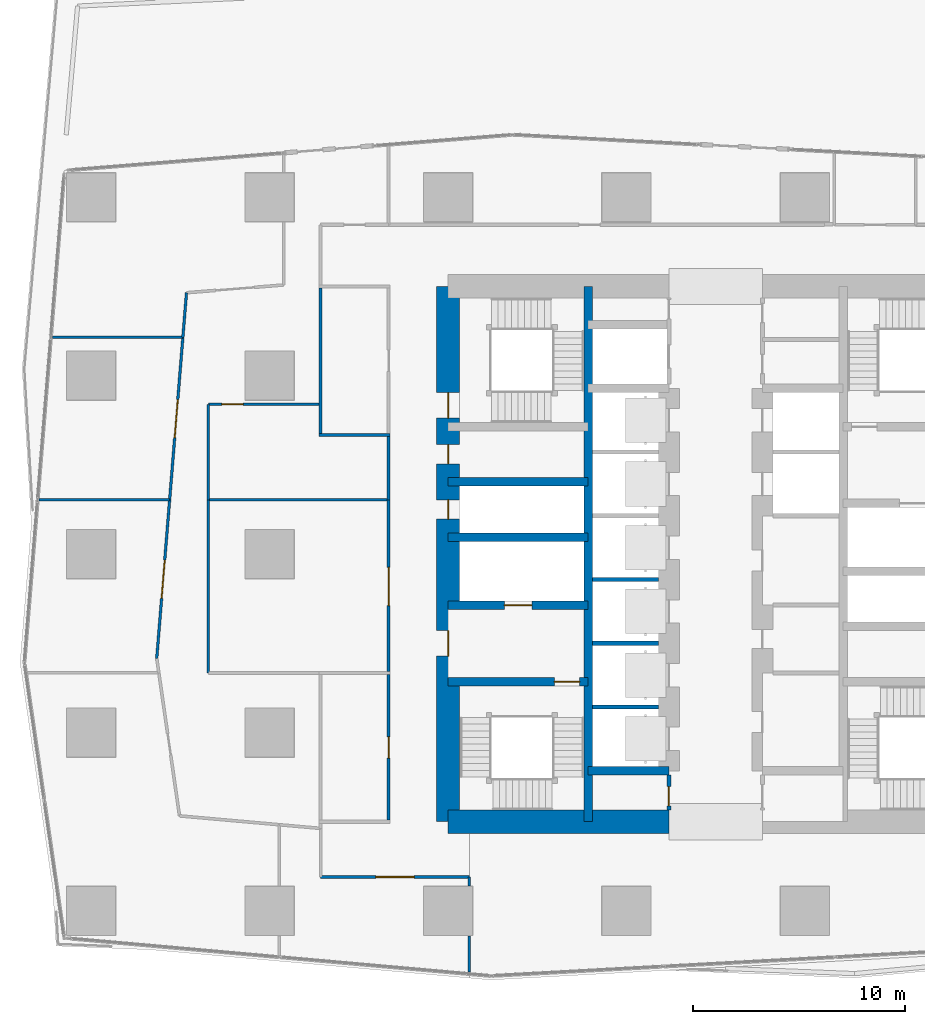
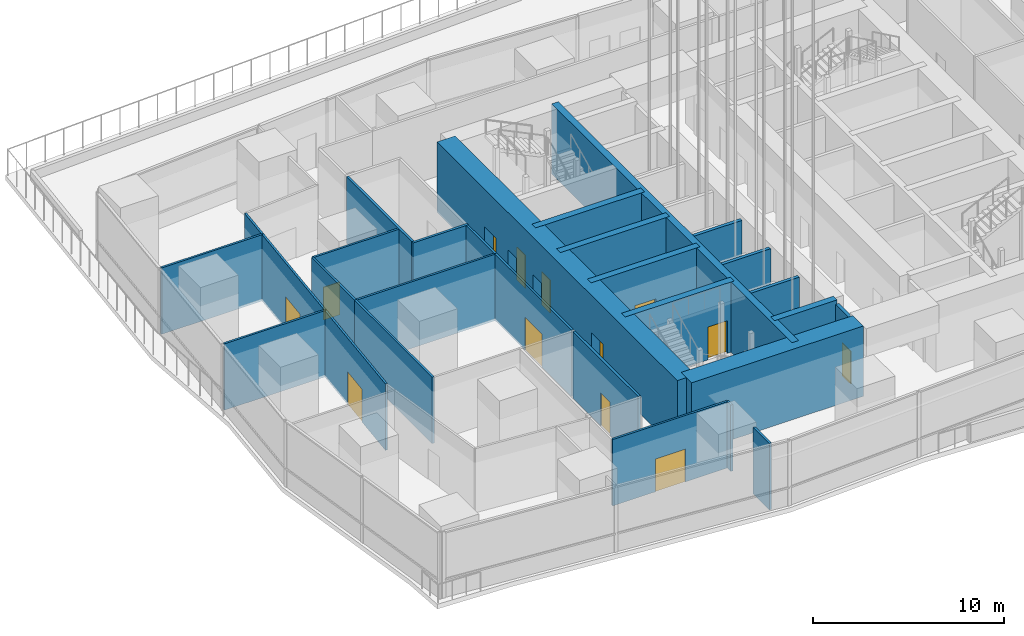
# One storey, part 15 of 39: 29 walls, 13 doors, 13 openings.
"""IFC4 building model written with IfcOpenShell, lengths in metres."""

from ifc_helpers import new_model, si_unit, direction, frame, frame_2d, origin, place, context, subcontext, project, spatial, rectangle, extrude, material, layer, layer_set, type_object, element, fill, save


model = new_model("IFC4")

# Units and contexts
model_context = context("Model", 3, precision=1e-05, world=origin(), true_north=direction((0.0, 1.0)))
body_context = subcontext(model_context, "Body", "Model", "MODEL_VIEW")
ifc_project = project(units=[si_unit("LENGTHUNIT", "METRE"), si_unit("AREAUNIT", "SQUARE_METRE"), si_unit("VOLUMEUNIT", "CUBIC_METRE"), si_unit("PLANEANGLEUNIT", "RADIAN"), si_unit("MASSUNIT", "GRAM", prefix="KILO")], contexts=[model_context])

# Site, building, storey
site_placement = place(None, origin())
site = spatial("IfcSite", under=ifc_project, at=site_placement, CompositionType="ELEMENT")
building_placement = place(site_placement, origin())
building = spatial("IfcBuilding", under=site, at=building_placement, Name="Rekha Terrace Tower", CompositionType="ELEMENT")
storey_placement = place(building_placement, frame((0.0, 0.0, 245.60009765625)))
storey = spatial("IfcBuildingStorey", under=building, at=storey_placement, Name="L62", CompositionType="ELEMENT", Elevation=245.60009765625)

# Walls
ifc_material_1 = material(Name="Concrete M60", Category="concrete")
ifc_layer_1 = layer(ifc_material_1, 0.39990234375)
ifc_layer_set_1 = layer_set([ifc_layer_1], Name="Concrete M60")
wall_type_1 = type_object("IfcWallType", Name="CI4 400 core internal shear wall", PredefinedType="SHEAR", material=ifc_layer_set_1)
wall_1_placement = place(storey_placement, frame((31.800048828125, 21.0, 0.0), z_axis=(0.0, 0.0, 1.0), x_axis=(0.0, 1.0, 0.0)))
element("IfcWall", 1, at=wall_1_placement, inside=storey, type_object=wall_type_1, Name="Core wall X318 L62", PredefinedType="SHEAR", context=body_context, shape_type="SweptSolid", body=[
    extrude(rectangle(XDim=25.199951171875, YDim=0.39990234375, at=frame_2d((12.60009765625, 0.0))), origin(), (0.0, 0.0, 1.0), 4.5),
])
wall_2_placement = place(storey_placement, frame((31.800048828125, 23.39990234375, 0.0), z_axis=(0.0, 0.0, 1.0), x_axis=(1.0, 0.0, 0.0)))
element("IfcWall", 2, at=wall_2_placement, inside=storey, type_object=wall_type_1, Name="Core wall Y234W L62", PredefinedType="SHEAR", context=body_context, shape_type="SweptSolid", body=[
    extrude(rectangle(XDim=3.800048828125, YDim=0.39990234375, at=frame_2d((1.89990234375, 0.0))), origin(), (0.0, 0.0, 1.0), 4.5),
])

# Wall, opening, door
wall_3_placement = place(storey_placement, frame((25.199951171875, 27.60009765625, 0.0), z_axis=(0.0, 0.0, 1.0), x_axis=(1.0, 0.0, 0.0)))
wall_3 = element("IfcWall", 3, at=wall_3_placement, inside=storey, type_object=wall_type_1, Name="Core wall Y276W L62", PredefinedType="SHEAR", context=body_context, shape_type="SweptSolid", body=[
    extrude(rectangle(XDim=6.60009765625, YDim=0.39990234375, at=frame_2d((3.300048828125, 0.0))), origin(), (0.0, 0.0, 1.0), 4.5),
])
opening_1_placement = place(wall_3_placement, frame((5.0, 0.0, 0.0)))
opening_1 = element("IfcOpeningElement", 4, at=opening_1_placement, cuts=wall_3, Name="Opening D1", PredefinedType="OPENING", context=body_context, shape_type="SweptSolid", body=[
    extrude(rectangle(XDim=1.199951171875, YDim=2.10009765625, at=frame_2d((0.60009765625, 1.050048828125))), frame((0.0, 0.2099609375, 0.0), z_axis=(0.0, -1.0, 0.0), x_axis=(1.0, 0.0, 0.0)), (0.0, 0.0, 1.0), 0.419921875),
])
ifc_material_2 = material(Name="Steel fire door", Category="steel")
door_type_1 = type_object("IfcDoorType", Name="D1 1200x2100 stair fire door", OperationType="SINGLE_SWING_RIGHT", PredefinedType="DOOR", material=ifc_material_2)
door_1_placement = place(opening_1_placement, origin())
door_1 = element("IfcDoor", 5, at=door_1_placement, inside=storey, type_object=door_type_1, Name="Stair ST1 door L62", OperationType="SINGLE_SWING_RIGHT", OverallHeight=2.10009765625, OverallWidth=1.199951171875, PredefinedType="DOOR", context=body_context, shape_type="SweptSolid", body=[
    extrude(rectangle(XDim=1.199951171875, YDim=2.10009765625, at=frame_2d((0.60009765625, 1.050048828125))), frame((0.0, 0.02490234375, 0.0), z_axis=(0.0, -1.0, 0.0), x_axis=(1.0, 0.0, 0.0)), (0.0, 0.0, 1.0), 0.050048828125),
])
fill(opening_1, door_1)

wall_4_placement = place(storey_placement, frame((25.199951171875, 31.199951171875, 0.0), z_axis=(0.0, 0.0, 1.0), x_axis=(1.0, 0.0, 0.0)))
wall_4 = element("IfcWall", 6, at=wall_4_placement, inside=storey, type_object=wall_type_1, Name="Core wall Y312W L62", PredefinedType="SHEAR", context=body_context, shape_type="SweptSolid", body=[
    extrude(rectangle(XDim=6.60009765625, YDim=0.39990234375, at=frame_2d((3.300048828125, 0.0))), origin(), (0.0, 0.0, 1.0), 4.5),
])
opening_2_placement = place(wall_4_placement, frame((2.64990234375, 0.0, 0.0)))
opening_2 = element("IfcOpeningElement", 7, at=opening_2_placement, cuts=wall_4, Name="Opening LD2", PredefinedType="OPENING", context=body_context, shape_type="SweptSolid", body=[
    extrude(rectangle(XDim=1.300048828125, YDim=2.10009765625, at=frame_2d((0.64990234375, 1.050048828125))), frame((0.0, 0.2099609375, 0.0), z_axis=(0.0, -1.0, 0.0), x_axis=(1.0, 0.0, 0.0)), (0.0, 0.0, 1.0), 0.419921875),
])
ifc_material_3 = material(Name="Stainless steel sliding landing door", Category="steel")
door_type_2 = type_object("IfcDoorType", Name="LD2 1300x2100 fire lift landing door", OperationType="SLIDING_TO_LEFT", PredefinedType="USERDEFINED", material=ifc_material_3)
door_2_placement = place(opening_2_placement, origin())
door_2 = element("IfcDoor", 8, at=door_2_placement, inside=storey, type_object=door_type_2, Name="Lift FL1 landing door L62", ObjectType="LIFT LANDING DOOR", OperationType="SLIDING_TO_LEFT", OverallHeight=2.10009765625, OverallWidth=1.300048828125, PredefinedType="USERDEFINED", context=body_context, shape_type="SweptSolid", body=[
    extrude(rectangle(XDim=1.300048828125, YDim=2.10009765625, at=frame_2d((0.64990234375, 1.050048828125))), frame((0.0, 0.02490234375, 0.0), z_axis=(0.0, -1.0, 0.0), x_axis=(1.0, 0.0, 0.0)), (0.0, 0.0, 1.0), 0.050048828125),
])
fill(opening_2, door_2)

# Walls
for number, where, z_axis, x_axis, name in (
    (9, (25.199951171875, 34.39990234375, 0.0), (0.0, 0.0, 1.0), (1.0, 0.0, 0.0), "Core wall Y344W L62"),
    (10, (25.199951171875, 37.0, 0.0), (0.0, 0.0, 1.0), (1.0, 0.0, 0.0), "Core wall Y370W L62"),
):
    element("IfcWall", number, at=place(storey_placement, frame(where, z_axis=z_axis, x_axis=x_axis)), inside=storey, type_object=wall_type_1, Name=name, PredefinedType="SHEAR", context=body_context, shape_type="SweptSolid", body=[
        extrude(rectangle(XDim=6.60009765625, YDim=0.39990234375, at=frame_2d((3.300048828125, 0.0))), origin(), (0.0, 0.0, 1.0), 4.5),
    ])
ifc_layer_2 = layer(ifc_material_1, 1.10009765625)
ifc_layer_set_2 = layer_set([ifc_layer_2], Name="Concrete M60")
wall_type_2 = type_object("IfcWallType", Name="SW4 1100 core outer shear wall", PredefinedType="SHEAR", material=ifc_layer_set_2)
wall_5_placement = place(storey_placement, frame((25.199951171875, 21.0, 0.0), z_axis=(0.0, 0.0, 1.0), x_axis=(1.0, 0.0, 0.0)))
element("IfcWall", 11, at=wall_5_placement, inside=storey, type_object=wall_type_2, Name="Core wall S1 L62", PredefinedType="SHEAR", context=body_context, shape_type="SweptSolid", body=[
    extrude(rectangle(XDim=10.400146484375, YDim=1.10009765625, at=frame_2d((5.2001953125, 0.0))), origin(), (0.0, 0.0, 1.0), 4.5),
])

# Wall, openings, doors
wall_6_placement = place(storey_placement, frame((25.199951171875, 21.0, 0.0), z_axis=(0.0, 0.0, 1.0), x_axis=(0.0, 1.0, 0.0)))
wall_6 = element("IfcWall", 12, at=wall_6_placement, inside=storey, type_object=wall_type_2, Name="Core wall W L62", PredefinedType="SHEAR", context=body_context, shape_type="SweptSolid", body=[
    extrude(rectangle(XDim=25.199951171875, YDim=1.10009765625, at=frame_2d((12.60009765625, 0.0))), origin(), (0.0, 0.0, 1.0), 4.5),
])
opening_3_placement = place(wall_6_placement, frame((7.800048828125, 0.0, 0.0)))
opening_3 = element("IfcOpeningElement", 13, at=opening_3_placement, cuts=wall_6, Name="Opening D2", PredefinedType="OPENING", context=body_context, shape_type="SweptSolid", body=[
    extrude(rectangle(XDim=1.199951171875, YDim=2.10009765625, at=frame_2d((0.60009765625, 1.050048828125))), frame((0.0, 0.56005859375, 0.0), z_axis=(0.0, -1.0, 0.0), x_axis=(1.0, 0.0, 0.0)), (0.0, 0.0, 1.0), 1.1201171875),
])
opening_4_placement = place(wall_6_placement, frame((14.25, 0.0, 0.0)))
opening_4 = element("IfcOpeningElement", 14, at=opening_4_placement, cuts=wall_6, Name="Opening D5", PredefinedType="OPENING", context=body_context, shape_type="SweptSolid", body=[
    extrude(rectangle(XDim=0.89990234375, YDim=2.10009765625, at=frame_2d((0.449951171875, 1.050048828125))), frame((0.0, 0.56005859375, 0.0), z_axis=(0.0, -1.0, 0.0), x_axis=(1.0, 0.0, 0.0)), (0.0, 0.0, 1.0), 1.1201171875),
])
opening_5_placement = place(wall_6_placement, frame((16.85009765625, 0.0, 0.0)))
opening_5 = element("IfcOpeningElement", 15, at=opening_5_placement, cuts=wall_6, Name="Opening D5", PredefinedType="OPENING", context=body_context, shape_type="SweptSolid", body=[
    extrude(rectangle(XDim=0.89990234375, YDim=2.10009765625, at=frame_2d((0.449951171875, 1.050048828125))), frame((0.0, 0.56005859375, 0.0), z_axis=(0.0, -1.0, 0.0), x_axis=(1.0, 0.0, 0.0)), (0.0, 0.0, 1.0), 1.1201171875),
])
opening_6_placement = place(wall_6_placement, frame((19.0, 0.0, 0.0)))
opening_6 = element("IfcOpeningElement", 16, at=opening_6_placement, cuts=wall_6, Name="Opening D1", PredefinedType="OPENING", context=body_context, shape_type="SweptSolid", body=[
    extrude(rectangle(XDim=1.199951171875, YDim=2.10009765625, at=frame_2d((0.60009765625, 1.050048828125))), frame((0.0, 0.56005859375, 0.0), z_axis=(0.0, -1.0, 0.0), x_axis=(1.0, 0.0, 0.0)), (0.0, 0.0, 1.0), 1.1201171875),
])
door_3_placement = place(opening_6_placement, origin())
door_3 = element("IfcDoor", 17, at=door_3_placement, inside=storey, type_object=door_type_1, Name="Stair ST4 door L62", OperationType="SINGLE_SWING_RIGHT", OverallHeight=2.10009765625, OverallWidth=1.199951171875, PredefinedType="DOOR", context=body_context, shape_type="SweptSolid", body=[
    extrude(rectangle(XDim=1.199951171875, YDim=2.10009765625, at=frame_2d((0.60009765625, 1.050048828125))), frame((0.0, 0.02490234375, 0.0), z_axis=(0.0, -1.0, 0.0), x_axis=(1.0, 0.0, 0.0)), (0.0, 0.0, 1.0), 0.050048828125),
])
fill(opening_6, door_3)
door_type_3 = type_object("IfcDoorType", Name="D2 1200x2100 firefighting lobby door", OperationType="SINGLE_SWING_LEFT", PredefinedType="DOOR", material=ifc_material_2)
door_4_placement = place(opening_3_placement, origin())
door_4 = element("IfcDoor", 18, at=door_4_placement, inside=storey, type_object=door_type_3, Name="Door flb1 L62", OperationType="SINGLE_SWING_LEFT", OverallHeight=2.10009765625, OverallWidth=1.199951171875, PredefinedType="DOOR", context=body_context, shape_type="SweptSolid", body=[
    extrude(rectangle(XDim=1.199951171875, YDim=2.10009765625, at=frame_2d((0.60009765625, 1.050048828125))), frame((0.0, 0.02490234375, 0.0), z_axis=(0.0, -1.0, 0.0), x_axis=(1.0, 0.0, 0.0)), (0.0, 0.0, 1.0), 0.050048828125),
])
fill(opening_3, door_4)
door_type_4 = type_object("IfcDoorType", Name="D5 900x2100 riser access door", OperationType="SINGLE_SWING_LEFT", PredefinedType="DOOR", material=ifc_material_2)
door_5_placement = place(opening_4_placement, origin())
door_5 = element("IfcDoor", 19, at=door_5_placement, inside=storey, type_object=door_type_4, Name="Door rs1 L62", OperationType="SINGLE_SWING_LEFT", OverallHeight=2.10009765625, OverallWidth=0.89990234375, PredefinedType="DOOR", context=body_context, shape_type="SweptSolid", body=[
    extrude(rectangle(XDim=0.89990234375, YDim=2.10009765625, at=frame_2d((0.449951171875, 1.050048828125))), frame((0.0, 0.02490234375, 0.0), z_axis=(0.0, -1.0, 0.0), x_axis=(1.0, 0.0, 0.0)), (0.0, 0.0, 1.0), 0.050048828125),
])
fill(opening_4, door_5)
door_6_placement = place(opening_5_placement, origin())
door_6 = element("IfcDoor", 20, at=door_6_placement, inside=storey, type_object=door_type_4, Name="Door elw L62", OperationType="SINGLE_SWING_LEFT", OverallHeight=2.10009765625, OverallWidth=0.89990234375, PredefinedType="DOOR", context=body_context, shape_type="SweptSolid", body=[
    extrude(rectangle(XDim=0.89990234375, YDim=2.10009765625, at=frame_2d((0.449951171875, 1.050048828125))), frame((0.0, 0.02490234375, 0.0), z_axis=(0.0, -1.0, 0.0), x_axis=(1.0, 0.0, 0.0)), (0.0, 0.0, 1.0), 0.050048828125),
])
fill(opening_5, door_6)

# Walls
ifc_material_4 = material(Name="Concrete block masonry, 1 hour", Category="masonry")
ifc_layer_3 = layer(ifc_material_4, 0.14990234375)
ifc_layer_set_3 = layer_set([ifc_layer_3], Name="Concrete block masonry, 1 hour")
wall_type_3 = type_object("IfcWallType", Name="WP2 150 tenancy partition", PredefinedType="PARTITIONING", material=ifc_layer_set_3)
wall_7_placement = place(storey_placement, frame((19.125, 39.199951171875, 0.0), z_axis=(0.0, 0.0, 1.0), x_axis=(1.0, 0.0, 0.0)))
element("IfcWall", 21, at=wall_7_placement, inside=storey, type_object=wall_type_3, Name="Women's WC wall L62", PredefinedType="PARTITIONING", context=body_context, shape_type="SweptSolid", body=[
    extrude(rectangle(XDim=3.35009765625, YDim=0.14990234375, at=frame_2d((1.675048828125, 0.0))), origin(), (0.0, 0.0, 1.0), 4.25),
])
wall_8_placement = place(storey_placement, frame((19.199951171875, 39.27490234375, 0.0), z_axis=(0.0, 0.0, 1.0), x_axis=(0.0, 1.0, 0.0)))
element("IfcWall", 22, at=wall_8_placement, inside=storey, type_object=wall_type_3, Name="Women's WC wall L62", PredefinedType="PARTITIONING", context=body_context, shape_type="SweptSolid", body=[
    extrude(rectangle(XDim=6.85009765625, YDim=0.14990234375, at=frame_2d((3.425048828125, 0.0))), origin(), (0.0, 0.0, 1.0), 4.25),
])

# Wall, opening, door
wall_9_placement = place(storey_placement, frame((22.39990234375, 21.074951171875, 0.0), z_axis=(0.0, 0.0, 1.0), x_axis=(0.0, 1.0, 0.0)))
wall_9 = element("IfcWall", 23, at=wall_9_placement, inside=storey, type_object=wall_type_3, Name="Men's WC wall L62", PredefinedType="PARTITIONING", context=body_context, shape_type="SweptSolid", body=[
    extrude(rectangle(XDim=6.85009765625, YDim=0.14990234375, at=frame_2d((3.425048828125, 0.0))), origin(), (0.0, 0.0, 1.0), 4.25),
])
opening_7_placement = place(wall_9_placement, frame((2.925048828125, 0.0, 0.0)))
opening_7 = element("IfcOpeningElement", 24, at=opening_7_placement, cuts=wall_9, Name="Opening D3", PredefinedType="OPENING", context=body_context, shape_type="SweptSolid", body=[
    extrude(rectangle(XDim=1.0, YDim=2.10009765625, at=frame_2d((0.5, 1.050048828125))), frame((0.0, 0.0849609375, 0.0), z_axis=(0.0, -1.0, 0.0), x_axis=(1.0, 0.0, 0.0)), (0.0, 0.0, 1.0), 0.169921875),
])
ifc_material_5 = material(Name="Laminated timber fire door", Category="wood")
door_type_5 = type_object("IfcDoorType", Name="D3 1000x2100 WC door", OperationType="SINGLE_SWING_LEFT", PredefinedType="DOOR", material=ifc_material_5)
door_7_placement = place(opening_7_placement, origin())
door_7 = element("IfcDoor", 25, at=door_7_placement, inside=storey, type_object=door_type_5, Name="Door men's wc L62", OperationType="SINGLE_SWING_LEFT", OverallHeight=2.10009765625, OverallWidth=1.0, PredefinedType="DOOR", context=body_context, shape_type="SweptSolid", body=[
    extrude(rectangle(XDim=1.0, YDim=2.10009765625, at=frame_2d((0.5, 1.050048828125))), frame((0.0, 0.02490234375, 0.0), z_axis=(0.0, -1.0, 0.0), x_axis=(1.0, 0.0, 0.0)), (0.0, 0.0, 1.0), 0.050048828125),
])
fill(opening_7, door_7)

# Walls
ifc_material_6 = material(Name="Two layers of fire-rated gypsum board each side on steel studs, acoustic quilt, 1 hour", Category="steel")
ifc_layer_4 = layer(ifc_material_6, 0.125)
ifc_layer_set_4 = layer_set([ifc_layer_4], Name="Two layers of fire-rated gypsum board each side on steel studs, acoustic quilt, 1 hour")
wall_type_4 = type_object("IfcWallType", Name="WP3 125 office partition", PredefinedType="PARTITIONING", material=ifc_layer_set_4)
wall_10_placement = place(storey_placement, frame((12.717041015625, 43.804931640625, 0.0), z_axis=(0.0, 0.0, 1.0), x_axis=(-1.0, 0.0, 0.0)))
element("IfcWall", 26, at=wall_10_placement, inside=storey, type_object=wall_type_4, Name="Partition L62-10", PredefinedType="PARTITIONING", context=body_context, shape_type="SweptSolid", body=[
    extrude(rectangle(XDim=6.14013671875, YDim=0.125, at=frame_2d((3.070068359375, 0.0))), origin(), (0.0, 0.0, 1.0), 4.25),
])
wall_11_placement = place(storey_placement, frame((12.887939453125, 45.903076171875, 0.0), z_axis=(0.0, 0.0, 1.0), x_axis=(-0.081183317519, -0.996699186794, 0.0)))
element("IfcWall", 27, at=wall_11_placement, inside=storey, type_object=wall_type_4, Name="Partition L62-10", PredefinedType="PARTITIONING", context=body_context, shape_type="SweptSolid", body=[
    extrude(rectangle(XDim=2.10498046875, YDim=0.125, at=frame_2d((1.052490234375, 0.0))), origin(), (0.0, 0.0, 1.0), 4.25),
])

# Wall, opening, door
wall_12_placement = place(storey_placement, frame((12.717041015625, 43.803955078125, 0.0), z_axis=(0.0, 0.0, 1.0), x_axis=(-0.081142844152, -0.996702482611, 0.0)))
wall_12 = element("IfcWall", 28, at=wall_12_placement, inside=storey, type_object=wall_type_4, Name="Partition L62-11", PredefinedType="PARTITIONING", context=body_context, shape_type="SweptSolid", body=[
    extrude(rectangle(XDim=7.678466796875, YDim=0.125, at=frame_2d((3.83935546875, 0.0))), origin(), (0.0, 0.0, 1.0), 4.25),
])
opening_8_placement = place(wall_12_placement, frame((2.93896484375, 0.0, 0.0)))
opening_8 = element("IfcOpeningElement", 29, at=opening_8_placement, cuts=wall_12, Name="Opening D8", PredefinedType="OPENING", context=body_context, shape_type="SweptSolid", body=[
    extrude(rectangle(XDim=1.800048828125, YDim=2.10009765625, at=frame_2d((0.89990234375, 1.050048828125))), frame((0.0, 0.072509765625, 0.0), z_axis=(0.0, -1.0, 0.0), x_axis=(1.0, 0.0, 0.0)), (0.0, 0.0, 1.0), 0.14501953125),
])
ifc_material_7 = material(Name="Timber fire door", Category="wood")
door_type_6 = type_object("IfcDoorType", Name="D8 1800x2100 double leaf door", OperationType="DOUBLE_DOOR_SINGLE_SWING", PredefinedType="DOOR", material=ifc_material_7)
door_8_placement = place(opening_8_placement, origin())
door_8 = element("IfcDoor", 30, at=door_8_placement, inside=storey, type_object=door_type_6, Name="Door meeting room L62", OperationType="DOUBLE_DOOR_SINGLE_SWING", OverallHeight=2.10009765625, OverallWidth=1.800048828125, PredefinedType="DOOR", context=body_context, shape_type="SweptSolid", body=[
    extrude(rectangle(XDim=1.800048828125, YDim=2.10009765625, at=frame_2d((0.89990234375, 1.050048828125))), frame((0.0, 0.02490234375, 0.0), z_axis=(0.0, -1.0, 0.0), x_axis=(1.0, 0.0, 0.0)), (0.0, 0.0, 1.0), 0.050048828125),
])
fill(opening_8, door_8)

# Wall
wall_13_placement = place(storey_placement, frame((12.093994140625, 36.15087890625, 0.0), z_axis=(0.0, 0.0, 1.0), x_axis=(-1.0, 0.0, 0.0)))
element("IfcWall", 31, at=wall_13_placement, inside=storey, type_object=wall_type_4, Name="Partition L62-11", PredefinedType="PARTITIONING", context=body_context, shape_type="SweptSolid", body=[
    extrude(rectangle(XDim=6.139892578125, YDim=0.125, at=frame_2d((3.06982421875, 0.0))), origin(), (0.0, 0.0, 1.0), 4.25),
])

# Wall, opening, door
wall_14_placement = place(storey_placement, frame((12.093994140625, 36.14990234375, 0.0), z_axis=(0.0, 0.0, 1.0), x_axis=(-0.081101425513, -0.99670585369, 0.0)))
wall_14 = element("IfcWall", 32, at=wall_14_placement, inside=storey, type_object=wall_type_4, Name="Partition L62-12", PredefinedType="PARTITIONING", context=body_context, shape_type="SweptSolid", body=[
    extrude(rectangle(XDim=7.483642578125, YDim=0.125, at=frame_2d((3.74169921875, 0.0))), origin(), (0.0, 0.0, 1.0), 4.25),
])
opening_9_placement = place(wall_14_placement, frame((2.842041015625, 0.0, 0.0)))
opening_9 = element("IfcOpeningElement", 33, at=opening_9_placement, cuts=wall_14, Name="Opening D8", PredefinedType="OPENING", context=body_context, shape_type="SweptSolid", body=[
    extrude(rectangle(XDim=1.800048828125, YDim=2.10009765625, at=frame_2d((0.89990234375, 1.050048828125))), frame((0.0, 0.072509765625, 0.0), z_axis=(0.0, -1.0, 0.0), x_axis=(1.0, 0.0, 0.0)), (0.0, 0.0, 1.0), 0.14501953125),
])
door_9_placement = place(opening_9_placement, origin())
door_9 = element("IfcDoor", 34, at=door_9_placement, inside=storey, type_object=door_type_6, Name="Door breakout lounge L62", OperationType="DOUBLE_DOOR_SINGLE_SWING", OverallHeight=2.10009765625, OverallWidth=1.800048828125, PredefinedType="DOOR", context=body_context, shape_type="SweptSolid", body=[
    extrude(rectangle(XDim=1.800048828125, YDim=2.10009765625, at=frame_2d((0.89990234375, 1.050048828125))), frame((0.0, 0.02490234375, 0.0), z_axis=(0.0, -1.0, 0.0), x_axis=(1.0, 0.0, 0.0)), (0.0, 0.0, 1.0), 0.050048828125),
])
fill(opening_9, door_9)

wall_15_placement = place(storey_placement, frame((19.199951171875, 18.39990234375, 0.0), z_axis=(0.0, 0.0, 1.0), x_axis=(1.0, 0.0, 0.0)))
wall_15 = element("IfcWall", 35, at=wall_15_placement, inside=storey, type_object=wall_type_4, Name="Partition L62-14", PredefinedType="PARTITIONING", context=body_context, shape_type="SweptSolid", body=[
    extrude(rectangle(XDim=7.0, YDim=0.125, at=frame_2d((3.5, 0.0))), origin(), (0.0, 0.0, 1.0), 4.25),
])
opening_10_placement = place(wall_15_placement, frame((2.60009765625, 0.0, 0.0)))
opening_10 = element("IfcOpeningElement", 36, at=opening_10_placement, cuts=wall_15, Name="Opening D8", PredefinedType="OPENING", context=body_context, shape_type="SweptSolid", body=[
    extrude(rectangle(XDim=1.800048828125, YDim=2.10009765625, at=frame_2d((0.89990234375, 1.050048828125))), frame((0.0, 0.072509765625, 0.0), z_axis=(0.0, -1.0, 0.0), x_axis=(1.0, 0.0, 0.0)), (0.0, 0.0, 1.0), 0.14501953125),
])
door_10_placement = place(opening_10_placement, origin())
door_10 = element("IfcDoor", 37, at=door_10_placement, inside=storey, type_object=door_type_6, Name="Door business lounge L62", OperationType="DOUBLE_DOOR_SINGLE_SWING", OverallHeight=2.10009765625, OverallWidth=1.800048828125, PredefinedType="DOOR", context=body_context, shape_type="SweptSolid", body=[
    extrude(rectangle(XDim=1.800048828125, YDim=2.10009765625, at=frame_2d((0.89990234375, 1.050048828125))), frame((0.0, 0.02490234375, 0.0), z_axis=(0.0, -1.0, 0.0), x_axis=(1.0, 0.0, 0.0)), (0.0, 0.0, 1.0), 0.050048828125),
])
fill(opening_10, door_10)

# Walls
wall_16_placement = place(storey_placement, frame((26.199951171875, 18.39990234375, 0.0), z_axis=(0.0, 0.0, 1.0), x_axis=(0.0, -1.0, 0.0)))
element("IfcWall", 38, at=wall_16_placement, inside=storey, type_object=wall_type_4, Name="Partition L62-14", PredefinedType="PARTITIONING", context=body_context, shape_type="SweptSolid", body=[
    extrude(rectangle(XDim=0.429931640625, YDim=0.125, at=frame_2d((0.21484375, 0.0))), origin(), (0.0, 0.0, 1.0), 4.25),
])
wall_17_placement = place(storey_placement, frame((26.199951171875, 15.6298828125, 0.0), z_axis=(0.0, 0.0, 1.0), x_axis=(0.0, -1.0, 0.0)))
element("IfcWall", 39, at=wall_17_placement, inside=storey, type_object=wall_type_4, Name="Partition L62-14", PredefinedType="PARTITIONING", context=body_context, shape_type="SweptSolid", body=[
    extrude(rectangle(XDim=1.7099609375, YDim=0.125, at=frame_2d((0.85498046875, 0.0))), origin(), (0.0, 0.0, 1.0), 4.25),
])
wall_18_placement = place(storey_placement, frame((13.9189453125, 28.0, 0.0), z_axis=(0.0, 0.0, 1.0), x_axis=(0.0, 1.0, 0.0)))
element("IfcWall", 40, at=wall_18_placement, inside=storey, type_object=wall_type_4, Name="Partition L62-15", PredefinedType="PARTITIONING", context=body_context, shape_type="SweptSolid", body=[
    extrude(rectangle(XDim=8.14990234375, YDim=0.125, at=frame_2d((4.074951171875, 0.0))), origin(), (0.0, 0.0, 1.0), 4.25),
])
wall_19_placement = place(storey_placement, frame((13.9189453125, 36.14990234375, 0.0), z_axis=(0.0, 0.0, 1.0), x_axis=(1.0, 0.0, 0.0)))
element("IfcWall", 41, at=wall_19_placement, inside=storey, type_object=wall_type_4, Name="Partition L62-15", PredefinedType="PARTITIONING", context=body_context, shape_type="SweptSolid", body=[
    extrude(rectangle(XDim=8.48095703125, YDim=0.125, at=frame_2d((4.240478515625, 0.0))), origin(), (0.0, 0.0, 1.0), 4.25),
])

# Wall, opening, door
wall_20_placement = place(storey_placement, frame((22.39990234375, 36.14990234375, 0.0), z_axis=(0.0, 0.0, 1.0), x_axis=(0.0, -1.0, 0.0)))
wall_20 = element("IfcWall", 42, at=wall_20_placement, inside=storey, type_object=wall_type_4, Name="Partition L62-15", PredefinedType="PARTITIONING", context=body_context, shape_type="SweptSolid", body=[
    extrude(rectangle(XDim=8.074951171875, YDim=0.125, at=frame_2d((4.03759765625, 0.0))), origin(), (0.0, 0.0, 1.0), 4.25),
])
opening_11_placement = place(wall_20_placement, frame((3.175048828125, 0.0, 0.0)))
opening_11 = element("IfcOpeningElement", 43, at=opening_11_placement, cuts=wall_20, Name="Opening D8", PredefinedType="OPENING", context=body_context, shape_type="SweptSolid", body=[
    extrude(rectangle(XDim=1.800048828125, YDim=2.10009765625, at=frame_2d((0.89990234375, 1.050048828125))), frame((0.0, 0.072509765625, 0.0), z_axis=(0.0, -1.0, 0.0), x_axis=(1.0, 0.0, 0.0)), (0.0, 0.0, 1.0), 0.14501953125),
])
door_11_placement = place(opening_11_placement, origin())
door_11 = element("IfcDoor", 44, at=door_11_placement, inside=storey, type_object=door_type_6, Name="Door reception L62", OperationType="DOUBLE_DOOR_SINGLE_SWING", OverallHeight=2.10009765625, OverallWidth=1.800048828125, PredefinedType="DOOR", context=body_context, shape_type="SweptSolid", body=[
    extrude(rectangle(XDim=1.800048828125, YDim=2.10009765625, at=frame_2d((0.89990234375, 1.050048828125))), frame((0.0, 0.02490234375, 0.0), z_axis=(0.0, -1.0, 0.0), x_axis=(1.0, 0.0, 0.0)), (0.0, 0.0, 1.0), 0.050048828125),
])
fill(opening_11, door_11)

# Walls
wall_21_placement = place(storey_placement, frame((22.39990234375, 39.125, 0.0), z_axis=(0.0, 0.0, 1.0), x_axis=(0.0, -1.0, 0.0)))
element("IfcWall", 45, at=wall_21_placement, inside=storey, type_object=wall_type_4, Name="Partition L62-16", PredefinedType="PARTITIONING", context=body_context, shape_type="SweptSolid", body=[
    extrude(rectangle(XDim=2.97509765625, YDim=0.125, at=frame_2d((1.487548828125, 0.0))), origin(), (0.0, 0.0, 1.0), 4.25),
])
wall_22_placement = place(storey_placement, frame((13.9189453125, 36.14990234375, 0.0), z_axis=(0.0, 0.0, 1.0), x_axis=(0.0, 1.0, 0.0)))
element("IfcWall", 46, at=wall_22_placement, inside=storey, type_object=wall_type_4, Name="Partition L62-16", PredefinedType="PARTITIONING", context=body_context, shape_type="SweptSolid", body=[
    extrude(rectangle(XDim=4.5, YDim=0.125, at=frame_2d((2.25, 0.0))), origin(), (0.0, 0.0, 1.0), 4.25),
])

# Wall, opening, door
wall_23_placement = place(storey_placement, frame((13.9189453125, 40.64990234375, 0.0), z_axis=(0.0, 0.0, 1.0), x_axis=(1.0, 0.0, 0.0)))
wall_23 = element("IfcWall", 47, at=wall_23_placement, inside=storey, type_object=wall_type_4, Name="Partition L62-16", PredefinedType="PARTITIONING", context=body_context, shape_type="SweptSolid", body=[
    extrude(rectangle(XDim=5.2060546875, YDim=0.125, at=frame_2d((2.60302734375, 0.0))), origin(), (0.0, 0.0, 1.0), 4.25),
])
opening_12_placement = place(wall_23_placement, frame((0.639892578125, 0.0, 0.0)))
opening_12 = element("IfcOpeningElement", 48, at=opening_12_placement, cuts=wall_23, Name="Opening D9", PredefinedType="OPENING", context=body_context, shape_type="SweptSolid", body=[
    extrude(rectangle(XDim=1.0, YDim=2.10009765625, at=frame_2d((0.5, 1.050048828125))), frame((0.0, 0.072509765625, 0.0), z_axis=(0.0, -1.0, 0.0), x_axis=(1.0, 0.0, 0.0)), (0.0, 0.0, 1.0), 0.14501953125),
])
door_type_7 = type_object("IfcDoorType", Name="D9 1000x2100 office door", OperationType="SINGLE_SWING_LEFT", PredefinedType="DOOR", material=ifc_material_7)
door_12_placement = place(opening_12_placement, origin())
door_12 = element("IfcDoor", 49, at=door_12_placement, inside=storey, type_object=door_type_7, Name="Door quiet room L62", OperationType="SINGLE_SWING_LEFT", OverallHeight=2.10009765625, OverallWidth=1.0, PredefinedType="DOOR", context=body_context, shape_type="SweptSolid", body=[
    extrude(rectangle(XDim=1.0, YDim=2.10009765625, at=frame_2d((0.5, 1.050048828125))), frame((0.0, 0.02490234375, 0.0), z_axis=(0.0, -1.0, 0.0), x_axis=(1.0, 0.0, 0.0)), (0.0, 0.0, 1.0), 0.050048828125),
])
fill(opening_12, door_12)

# Walls
ifc_material_8 = material(Name="Solid concrete block masonry, 2 hour", Category="masonry")
ifc_layer_5 = layer(ifc_material_8, 0.199951171875)
ifc_layer_set_5 = layer_set([ifc_layer_5], Name="Solid concrete block masonry, 2 hour")
wall_type_5 = type_object("IfcWallType", Name="WS1 200 stair and shaft enclosure", PredefinedType="PARTITIONING", material=ifc_layer_set_5)
for number, where, z_axis, x_axis, name in (
    (50, (32.0, 26.39990234375, 0.0), (0.0, 0.0, 1.0), (1.0, 0.0, 0.0), "Lift shaft divider L62"),
    (51, (32.0, 29.39990234375, 0.0), (0.0, 0.0, 1.0), (1.0, 0.0, 0.0), "Lift shaft divider L62"),
    (52, (32.0, 32.39990234375, 0.0), (0.0, 0.0, 1.0), (1.0, 0.0, 0.0), "Lift shaft divider L62"),
):
    element("IfcWall", number, at=place(storey_placement, frame(where, z_axis=z_axis, x_axis=x_axis)), inside=storey, type_object=wall_type_5, Name=name, PredefinedType="PARTITIONING", context=body_context, shape_type="SweptSolid", body=[
        extrude(rectangle(XDim=3.10009765625, YDim=0.199951171875, at=frame_2d((1.550048828125, 0.0))), origin(), (0.0, 0.0, 1.0), 4.25),
    ])

# Wall, opening, door
wall_24_placement = place(storey_placement, frame((35.60009765625, 21.550048828125, 0.0), z_axis=(0.0, 0.0, 1.0), x_axis=(0.0, 1.0, 0.0)))
wall_24 = element("IfcWall", 53, at=wall_24_placement, inside=storey, type_object=wall_type_5, Name="Core partition west L62", PredefinedType="PARTITIONING", context=body_context, shape_type="SweptSolid", body=[
    extrude(rectangle(XDim=1.64990234375, YDim=0.199951171875, at=frame_2d((0.824951171875, 0.0))), origin(), (0.0, 0.0, 1.0), 4.25),
])
opening_13_placement = place(wall_24_placement, frame((0.199951171875, 0.0, 0.0)))
opening_13 = element("IfcOpeningElement", 54, at=opening_13_placement, cuts=wall_24, Name="Opening D5", PredefinedType="OPENING", context=body_context, shape_type="SweptSolid", body=[
    extrude(rectangle(XDim=0.89990234375, YDim=2.10009765625, at=frame_2d((0.449951171875, 1.050048828125))), frame((0.0, 0.10986328125, 0.0), z_axis=(0.0, -1.0, 0.0), x_axis=(1.0, 0.0, 0.0)), (0.0, 0.0, 1.0), 0.219970703125),
])
door_13_placement = place(opening_13_placement, origin())
door_13 = element("IfcDoor", 55, at=door_13_placement, inside=storey, type_object=door_type_4, Name="Door cleaner's store L62", OperationType="SINGLE_SWING_LEFT", OverallHeight=2.10009765625, OverallWidth=0.89990234375, PredefinedType="DOOR", context=body_context, shape_type="SweptSolid", body=[
    extrude(rectangle(XDim=0.89990234375, YDim=2.10009765625, at=frame_2d((0.449951171875, 1.050048828125))), frame((0.0, 0.02490234375, 0.0), z_axis=(0.0, -1.0, 0.0), x_axis=(1.0, 0.0, 0.0)), (0.0, 0.0, 1.0), 0.050048828125),
])
fill(opening_13, door_13)

save(model, "model.ifc")
